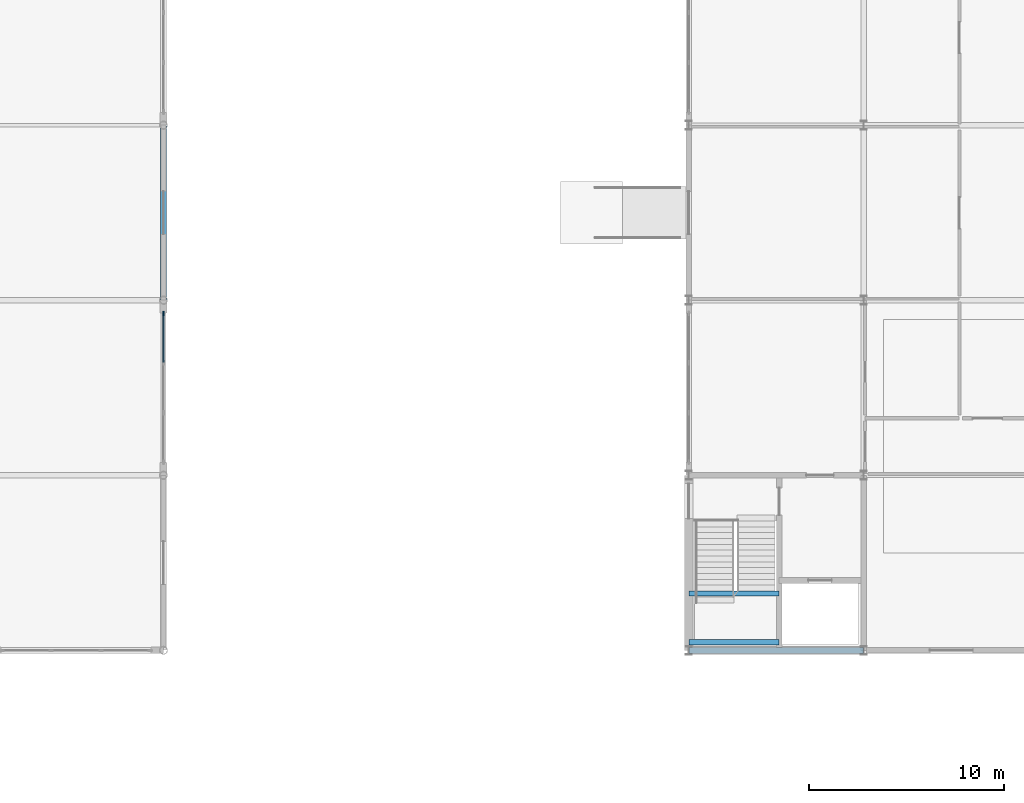
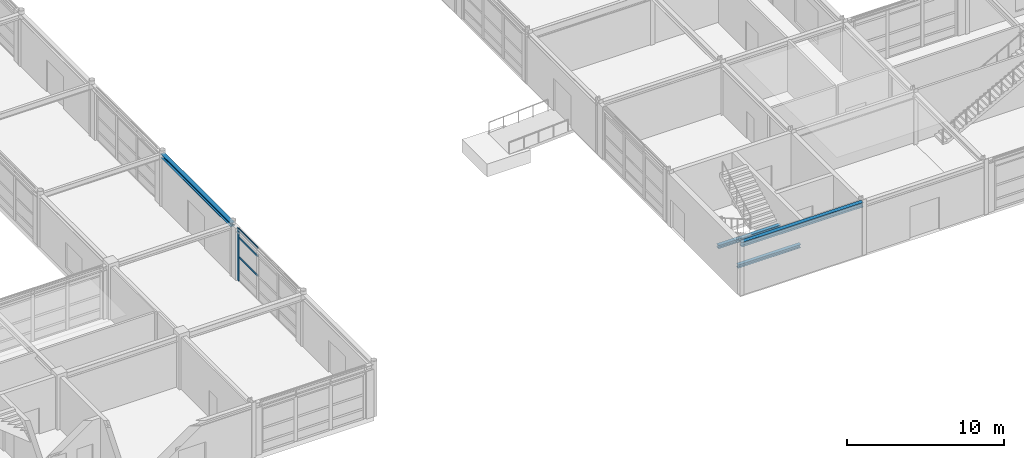
# One storey, part 24 of 72: 4 beams, 4 members, 1 element without a shape of its own.
"""IFC4 building model written with IfcOpenShell, lengths in metres."""

from ifc_helpers import new_model, si_unit, direction, frame, origin, origin_2d, place, context, subcontext, project, spatial, rectangle, i_section, extrude, material, material_profile, profile_set, type_object, element, aggregate, save


model = new_model("IFC4")

# Units and contexts
model_context = context("Model", 3, precision=1e-05, world=origin(), true_north=direction((0.0, 1.0)))
body_context = subcontext(model_context, "Body", "Model", "MODEL_VIEW")
ifc_project = project(units=[si_unit("LENGTHUNIT", "METRE"), si_unit("AREAUNIT", "SQUARE_METRE"), si_unit("VOLUMEUNIT", "CUBIC_METRE"), si_unit("PLANEANGLEUNIT", "RADIAN"), si_unit("MASSUNIT", "GRAM", prefix="KILO")], contexts=[model_context])

# Site, building, storey
site_placement = place(None, origin())
site = spatial("IfcSite", under=ifc_project, at=site_placement, CompositionType="ELEMENT")
building_placement = place(site_placement, origin())
building = spatial("IfcBuilding", under=site, at=building_placement, Name="Palais des Congres Ocreval", CompositionType="ELEMENT")
storey_placement = place(building_placement, origin())
storey = spatial("IfcBuildingStorey", under=building, at=storey_placement, Name="L00", CompositionType="ELEMENT", Elevation=0.0)

# Curtain wall, members
ifc_material_1 = material(Name="Anodized bronze aluminium and low-E glass", Category="glass")
curtain_wall_type = type_object("IfcCurtainWallType", Name="Unitised Curtain Wall 7900x4060", PredefinedType="USERDEFINED", material=ifc_material_1)
curtain_wall_placement = place(storey_placement, origin())
curtain_wall = element("IfcCurtainWall", 1, at=curtain_wall_placement, inside=storey, type_object=curtain_wall_type, Name="Unitised Curtain Wall CW01 L00", ObjectType="UNITISED CURTAIN WALL", PredefinedType="USERDEFINED")
ifc_material_2 = material(Name="Anodized bronze aluminium", Category="aluminium")
ifc_material_profile_1 = material_profile(ifc_material_2, rectangle(XDim=0.074951171875, YDim=0.239990234375, at=origin_2d()), Name="ALU 75x240")
ifc_profile_set_1 = profile_set([ifc_material_profile_1], Name="Anodized bronze aluminium")
member_type_1 = type_object("IfcMemberType", Name="Curtain Wall Mullion ALU 75x240", PredefinedType="MULLION", material=ifc_profile_set_1)
member_1_placement = place(storey_placement, frame((81.0, 17.3125, 0.0), z_axis=(0.0, 0.0, 1.0), x_axis=(1.0, 0.0, 0.0)))
member_1 = element("IfcMember", 2, at=member_1_placement, type_object=member_type_1, Name="Curtain Wall Mullion ML01", PredefinedType="MULLION", context=body_context, shape_type="SweptSolid", body=[
    extrude(rectangle(XDim=0.074951171875, YDim=0.239990234375, at=origin_2d()), origin(), (0.0, 0.0, 1.0), 4.054931640625),
])
ifc_material_profile_2 = material_profile(ifc_material_2, rectangle(XDim=0.06005859375, YDim=0.14990234375, at=origin_2d()), Name="ALU 60x150")
ifc_profile_set_2 = profile_set([ifc_material_profile_2], Name="Anodized bronze aluminium")
member_type_2 = type_object("IfcMemberType", Name="Curtain Wall Transom ALU 60x150", PredefinedType="USERDEFINED", material=ifc_profile_set_2)
member_2_placement = place(storey_placement, frame((81.0, 17.27490234375, 1.872802734375), z_axis=(0.0, -1.0, 0.0), x_axis=(1.0, 0.0, 0.0)))
member_2 = element("IfcMember", 3, at=member_2_placement, type_object=member_type_2, Name="Curtain Wall Transom TR01", ObjectType="TRANSOM", PredefinedType="USERDEFINED", context=body_context, shape_type="SweptSolid", body=[
    extrude(rectangle(XDim=0.06005859375, YDim=0.14990234375, at=origin_2d()), origin(), (0.0, 0.0, 1.0), 2.4541015625),
])
member_3_placement = place(storey_placement, frame((81.0, 17.27490234375, 3.405029296875), z_axis=(0.0, -1.0, 0.0), x_axis=(1.0, 0.0, 0.0)))
member_3 = element("IfcMember", 4, at=member_3_placement, type_object=member_type_2, Name="Curtain Wall Transom TR01", ObjectType="TRANSOM", PredefinedType="USERDEFINED", context=body_context, shape_type="SweptSolid", body=[
    extrude(rectangle(XDim=0.06005859375, YDim=0.14990234375, at=origin_2d()), origin(), (0.0, 0.0, 1.0), 2.4541015625),
])
member_4_placement = place(storey_placement, frame((81.0, 17.27490234375, 4.02490234375), z_axis=(0.0, -1.0, 0.0), x_axis=(1.0, 0.0, 0.0)))
member_4 = element("IfcMember", 5, at=member_4_placement, type_object=member_type_2, Name="Curtain Wall Transom TR01", ObjectType="TRANSOM", PredefinedType="USERDEFINED", context=body_context, shape_type="SweptSolid", body=[
    extrude(rectangle(XDim=0.06005859375, YDim=0.14990234375, at=origin_2d()), origin(), (0.0, 0.0, 1.0), 2.4541015625),
])
aggregate(curtain_wall, [member_1, member_2, member_3, member_4])

# Beams
ifc_material_3 = material(Name="Steel S355", Category="steel")
ifc_material_profile_3 = material_profile(ifc_material_3, i_section(OverallWidth=0.260009765625, OverallDepth=0.260009765625, WebThickness=0.010009765625, FlangeThickness=0.017578125, at=origin_2d()), Name="HEB 260")
ifc_profile_set_3 = profile_set([ifc_material_profile_3], Name="Steel S355")
beam_type_1 = type_object("IfcBeamType", Name="Opening Lintel HEB 260 Steel S355", PredefinedType="LINTEL", material=ifc_profile_set_3)
for number, where, z_axis, x_axis, name in (
    (6, (108.02001953125, 0.419921875, 1.909912109375), (1.0, 0.0, 0.0), (0.0, 1.0, 0.0), "Stair Landing Support Beam ST09 L00-1"),
    (7, (108.02001953125, 2.929931640625, 1.909912109375), (1.0, 0.0, 0.0), (0.0, 1.0, 0.0), "Stair Landing Support Beam ST09 L00-2"),
):
    element("IfcBeam", number, at=place(storey_placement, frame(where, z_axis=z_axis, x_axis=x_axis)), inside=storey, type_object=beam_type_1, Name=name, PredefinedType="LINTEL", context=body_context, shape_type="SweptSolid", body=[
        extrude(i_section(OverallWidth=0.260009765625, OverallDepth=0.260009765625, WebThickness=0.010009765625, FlangeThickness=0.017578125, at=origin_2d()), origin(), (0.0, 0.0, 1.0), 4.60986328125),
    ])
ifc_material_profile_4 = material_profile(ifc_material_3, i_section(OverallWidth=0.300048828125, OverallDepth=0.300048828125, WebThickness=0.010986328125, FlangeThickness=0.01904296875, at=origin_2d()), Name="HEB 300")
ifc_profile_set_4 = profile_set([ifc_material_profile_4], Name="Steel S355")
beam_type_2 = type_object("IfcBeamType", Name="Perimeter Spandrel HEB 300 Steel S355", PredefinedType="SPANDREL", material=ifc_profile_set_4)
beam_1_placement = place(storey_placement, frame((81.0, 18.02001953125, 3.905029296875), z_axis=(0.0, 1.0, 0.0), x_axis=(-1.0, 0.0, 0.0)))
element("IfcBeam", 8, at=beam_1_placement, inside=storey, type_object=beam_type_2, Name="Girder SP02 L00", PredefinedType="SPANDREL", context=body_context, shape_type="SweptSolid", body=[
    extrude(i_section(OverallWidth=0.300048828125, OverallDepth=0.300048828125, WebThickness=0.010986328125, FlangeThickness=0.01904296875, at=origin_2d()), origin(), (0.0, 0.0, 1.0), 8.9599609375),
])
ifc_material_profile_5 = material_profile(ifc_material_3, i_section(OverallWidth=0.300048828125, OverallDepth=0.360107421875, WebThickness=0.012451171875, FlangeThickness=0.0224609375, at=origin_2d()), Name="HEB 360")
ifc_profile_set_5 = profile_set([ifc_material_profile_5], Name="Steel S355")
beam_type_3 = type_object("IfcBeamType", Name="Perimeter Spandrel HEB 360 Steel S355", PredefinedType="SPANDREL", material=ifc_profile_set_5)
beam_2_placement = place(storey_placement, frame((108.02001953125, 0.0, 3.875), z_axis=(1.0, 0.0, 0.0), x_axis=(0.0, 1.0, 0.0)))
element("IfcBeam", 9, at=beam_2_placement, inside=storey, type_object=beam_type_3, Name="Beam SP03 L00", PredefinedType="SPANDREL", context=body_context, shape_type="SweptSolid", body=[
    extrude(i_section(OverallWidth=0.300048828125, OverallDepth=0.360107421875, WebThickness=0.012451171875, FlangeThickness=0.0224609375, at=origin_2d()), origin(), (0.0, 0.0, 1.0), 8.9599609375),
])

save(model, "model.ifc")
